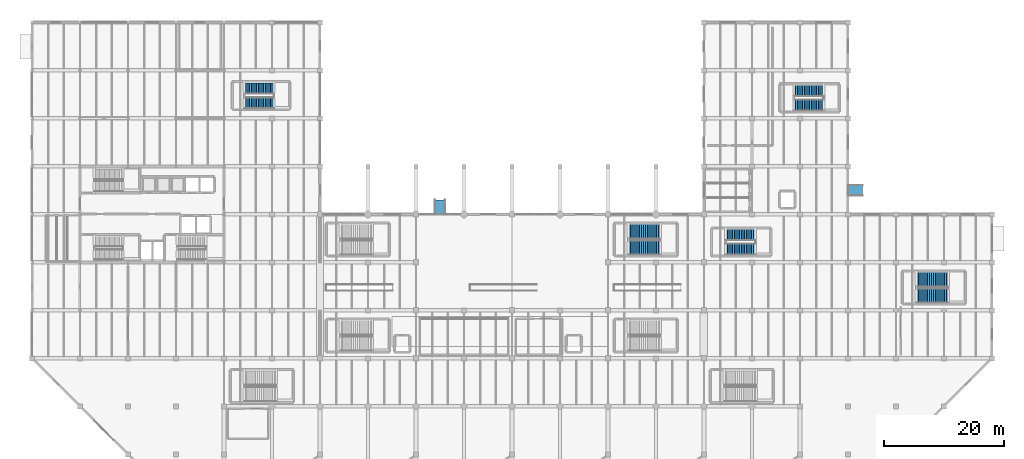
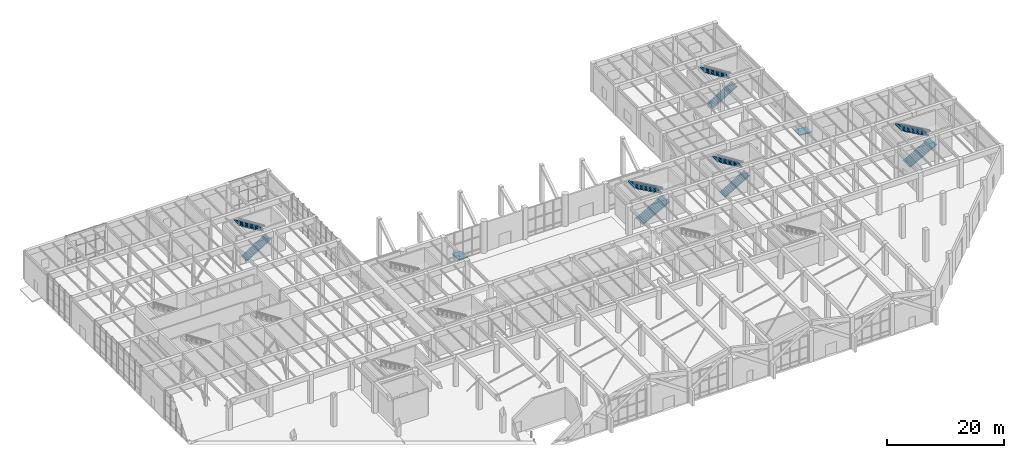
# One storey, part 42 of 51: 10 stair flights, 2 ramp flights, 7 elements without a shape of their own.
"""IFC4 building model written with IfcOpenShell, lengths in metres."""

from ifc_helpers import new_model, si_unit, direction, frame, origin, place, context, subcontext, project, spatial, polyline, outline, extrude, material, type_object, element, aggregate, save


model = new_model("IFC4")

# Units and contexts
model_context = context("Model", 3, precision=1e-05, world=origin(), true_north=direction((0.0, 1.0)))
body_context = subcontext(model_context, "Body", "Model", "MODEL_VIEW")
ifc_project = project(units=[si_unit("LENGTHUNIT", "METRE"), si_unit("AREAUNIT", "SQUARE_METRE"), si_unit("VOLUMEUNIT", "CUBIC_METRE"), si_unit("PLANEANGLEUNIT", "RADIAN"), si_unit("MASSUNIT", "GRAM", prefix="KILO")], contexts=[model_context])

# Site, building, storey
site_placement = place(None, origin())
site = spatial("IfcSite", under=ifc_project, at=site_placement, CompositionType="ELEMENT")
building_placement = place(site_placement, origin())
building = spatial("IfcBuilding", under=site, at=building_placement, Name="Varnela Railside Interchange", CompositionType="ELEMENT")
storey_placement = place(building_placement, origin())
storey = spatial("IfcBuildingStorey", under=building, at=storey_placement, Name="L00", CompositionType="ELEMENT", Elevation=0.0)

# Stair, stair flights
ifc_material = material(Name="Concrete C40", Category="concrete")
stair_type_1 = type_object("IfcStairType", Name="Study Pavilion Stair ST-180", PredefinedType="TWO_STRAIGHT_RUN_STAIR", material=ifc_material)
stair_1_placement = place(storey_placement, origin())
stair_1 = element("IfcStair", 1, at=stair_1_placement, inside=storey, type_object=stair_type_1, Name="Stair ST-E1 (L00) (SF-097)", PredefinedType="TWO_STRAIGHT_RUN_STAIR")
stair_flight_type_1 = type_object("IfcStairFlightType", Name="Concrete Stair Flight SF-180", PredefinedType="STRAIGHT", material=ifc_material)
stair_flight_1_placement = place(storey_placement, frame((119.60009765625, 56.199951171875, 0.0), z_axis=(0.0, 0.0, 1.0), x_axis=(1.0, 0.0, 0.0)))
stair_flight_1 = element("IfcStairFlight", 2, at=stair_flight_1_placement, type_object=stair_flight_type_1, Name="ST-E1 flight 1 (SF-098)", NumberOfRisers=18, NumberOfTreads=17, PredefinedType="STRAIGHT", RiserHeight=0.175, TreadLength=0.29, context=body_context, shape_type="SweptSolid", body=[
    extrude(outline(polyline([(0.0, 0.0), (0.0, 0.175048828125), (0.2900390625, 0.175048828125), (0.2900390625, 0.35009765625), (0.580078125, 0.35009765625), (0.580078125, 0.52490234375), (0.8701171875, 0.52490234375), (0.8701171875, 0.699951171875), (1.159912109375, 0.699951171875), (1.159912109375, 0.875), (1.449951171875, 0.875), (1.449951171875, 1.050048828125), (1.739990234375, 1.050048828125), (1.739990234375, 1.22509765625), (2.030029296875, 1.22509765625), (2.030029296875, 1.39990234375), (2.320068359375, 1.39990234375), (2.320068359375, 1.574951171875), (2.610107421875, 1.574951171875), (2.610107421875, 1.75), (2.89990234375, 1.75), (2.89990234375, 1.925048828125), (3.18994140625, 1.925048828125), (3.18994140625, 2.10009765625), (3.47998046875, 2.10009765625), (3.47998046875, 2.27490234375), (3.77001953125, 2.27490234375), (3.77001953125, 2.449951171875), (4.06005859375, 2.449951171875), (4.06005859375, 2.625), (4.35009765625, 2.625), (4.35009765625, 2.800048828125), (4.639892578125, 2.800048828125), (4.639892578125, 2.97509765625), (4.929931640625, 2.97509765625), (4.929931640625, 3.14990234375), (4.929931640625, 2.788330078125), (0.3095703125, 0.0), (0.0, 0.0)])), frame((0.0, 0.89990234375, 0.0), z_axis=(0.0, -1.0, 0.0), x_axis=(1.0, 0.0, 0.0)), (0.0, 0.0, 1.0), 1.800048828125),
])
stair_flight_2_placement = place(storey_placement, frame((124.530029296875, 58.60009765625, 3.14990234375), z_axis=(0.0, 0.0, 1.0), x_axis=(-1.0, 0.0, 0.0)))
stair_flight_2 = element("IfcStairFlight", 3, at=stair_flight_2_placement, type_object=stair_flight_type_1, Name="ST-E1 flight 2 (SF-099)", NumberOfRisers=18, NumberOfTreads=17, PredefinedType="STRAIGHT", RiserHeight=0.175, TreadLength=0.29, context=body_context, shape_type="SweptSolid", body=[
    extrude(outline(polyline([(0.0, 0.0), (0.0, 0.175048828125), (0.2900390625, 0.175048828125), (0.2900390625, 0.35009765625), (0.580078125, 0.35009765625), (0.580078125, 0.52490234375), (0.8701171875, 0.52490234375), (0.8701171875, 0.699951171875), (1.159912109375, 0.699951171875), (1.159912109375, 0.875), (1.449951171875, 0.875), (1.449951171875, 1.050048828125), (1.739990234375, 1.050048828125), (1.739990234375, 1.22509765625), (2.030029296875, 1.22509765625), (2.030029296875, 1.39990234375), (2.320068359375, 1.39990234375), (2.320068359375, 1.574951171875), (2.610107421875, 1.574951171875), (2.610107421875, 1.75), (2.89990234375, 1.75), (2.89990234375, 1.925048828125), (3.18994140625, 1.925048828125), (3.18994140625, 2.10009765625), (3.47998046875, 2.10009765625), (3.47998046875, 2.27490234375), (3.77001953125, 2.27490234375), (3.77001953125, 2.449951171875), (4.06005859375, 2.449951171875), (4.06005859375, 2.625), (4.35009765625, 2.625), (4.35009765625, 2.800048828125), (4.639892578125, 2.800048828125), (4.639892578125, 2.97509765625), (4.929931640625, 2.97509765625), (4.929931640625, 3.14990234375), (4.929931640625, 2.788330078125), (0.3095703125, 0.0), (0.0, 0.0)])), frame((0.0, 0.89990234375, 0.0), z_axis=(0.0, -1.0, 0.0), x_axis=(1.0, 0.0, 0.0)), (0.0, 0.0, 1.0), 1.800048828125),
])
aggregate(stair_1, [stair_flight_1, stair_flight_2])

stair_2_placement = place(storey_placement, origin())
stair_2 = element("IfcStair", 4, at=stair_2_placement, inside=storey, type_object=stair_type_1, Name="Stair ST-E2 (L00) (SF-100)", PredefinedType="TWO_STRAIGHT_RUN_STAIR")
stair_flight_3_placement = place(storey_placement, frame((131.0, 80.199951171875, 0.0), z_axis=(0.0, 0.0, 1.0), x_axis=(1.0, 0.0, 0.0)))
stair_flight_3 = element("IfcStairFlight", 5, at=stair_flight_3_placement, type_object=stair_flight_type_1, Name="ST-E2 flight 1 (SF-101)", NumberOfRisers=18, NumberOfTreads=17, PredefinedType="STRAIGHT", RiserHeight=0.175, TreadLength=0.29, context=body_context, shape_type="SweptSolid", body=[
    extrude(outline(polyline([(0.0, 0.0), (0.0, 0.175048828125), (0.2900390625, 0.175048828125), (0.2900390625, 0.35009765625), (0.580078125, 0.35009765625), (0.580078125, 0.52490234375), (0.8701171875, 0.52490234375), (0.8701171875, 0.699951171875), (1.159912109375, 0.699951171875), (1.159912109375, 0.875), (1.449951171875, 0.875), (1.449951171875, 1.050048828125), (1.739990234375, 1.050048828125), (1.739990234375, 1.22509765625), (2.030029296875, 1.22509765625), (2.030029296875, 1.39990234375), (2.320068359375, 1.39990234375), (2.320068359375, 1.574951171875), (2.610107421875, 1.574951171875), (2.610107421875, 1.75), (2.89990234375, 1.75), (2.89990234375, 1.925048828125), (3.18994140625, 1.925048828125), (3.18994140625, 2.10009765625), (3.47998046875, 2.10009765625), (3.47998046875, 2.27490234375), (3.77001953125, 2.27490234375), (3.77001953125, 2.449951171875), (4.06005859375, 2.449951171875), (4.06005859375, 2.625), (4.35009765625, 2.625), (4.35009765625, 2.800048828125), (4.639892578125, 2.800048828125), (4.639892578125, 2.97509765625), (4.929931640625, 2.97509765625), (4.929931640625, 3.14990234375), (4.929931640625, 2.788330078125), (0.3095703125, 0.0), (0.0, 0.0)])), frame((0.0, 0.89990234375, 0.0), z_axis=(0.0, -1.0, 0.0), x_axis=(1.0, 0.0, 0.0)), (0.0, 0.0, 1.0), 1.800048828125),
])
stair_flight_4_placement = place(storey_placement, frame((135.929931640625, 82.60009765625, 3.14990234375), z_axis=(0.0, 0.0, 1.0), x_axis=(-1.0, 0.0, 0.0)))
stair_flight_4 = element("IfcStairFlight", 6, at=stair_flight_4_placement, type_object=stair_flight_type_1, Name="ST-E2 flight 2 (SF-102)", NumberOfRisers=18, NumberOfTreads=17, PredefinedType="STRAIGHT", RiserHeight=0.175, TreadLength=0.29, context=body_context, shape_type="SweptSolid", body=[
    extrude(outline(polyline([(0.0, 0.0), (0.0, 0.175048828125), (0.2900390625, 0.175048828125), (0.2900390625, 0.35009765625), (0.580078125, 0.35009765625), (0.580078125, 0.52490234375), (0.8701171875, 0.52490234375), (0.8701171875, 0.699951171875), (1.159912109375, 0.699951171875), (1.159912109375, 0.875), (1.449951171875, 0.875), (1.449951171875, 1.050048828125), (1.739990234375, 1.050048828125), (1.739990234375, 1.22509765625), (2.030029296875, 1.22509765625), (2.030029296875, 1.39990234375), (2.320068359375, 1.39990234375), (2.320068359375, 1.574951171875), (2.610107421875, 1.574951171875), (2.610107421875, 1.75), (2.89990234375, 1.75), (2.89990234375, 1.925048828125), (3.18994140625, 1.925048828125), (3.18994140625, 2.10009765625), (3.47998046875, 2.10009765625), (3.47998046875, 2.27490234375), (3.77001953125, 2.27490234375), (3.77001953125, 2.449951171875), (4.06005859375, 2.449951171875), (4.06005859375, 2.625), (4.35009765625, 2.625), (4.35009765625, 2.800048828125), (4.639892578125, 2.800048828125), (4.639892578125, 2.97509765625), (4.929931640625, 2.97509765625), (4.929931640625, 3.14990234375), (4.929931640625, 2.788330078125), (0.3095703125, 0.0), (0.0, 0.0)])), frame((0.0, 0.89990234375, 0.0), z_axis=(0.0, -1.0, 0.0), x_axis=(1.0, 0.0, 0.0)), (0.0, 0.0, 1.0), 1.800048828125),
])
aggregate(stair_2, [stair_flight_3, stair_flight_4])

stair_3_placement = place(storey_placement, origin())
stair_3 = element("IfcStair", 7, at=stair_3_placement, inside=storey, type_object=stair_type_1, Name="Stair ST-W1 (L00) (SF-121)", PredefinedType="TWO_STRAIGHT_RUN_STAIR")
stair_flight_5_placement = place(storey_placement, frame((39.39990234375, 80.60009765625, 0.0), z_axis=(0.0, 0.0, 1.0), x_axis=(1.0, 0.0, 0.0)))
stair_flight_5 = element("IfcStairFlight", 8, at=stair_flight_5_placement, type_object=stair_flight_type_1, Name="ST-W1 flight 1 (SF-122)", NumberOfRisers=18, NumberOfTreads=17, PredefinedType="STRAIGHT", RiserHeight=0.175, TreadLength=0.29, context=body_context, shape_type="SweptSolid", body=[
    extrude(outline(polyline([(0.0, 0.0), (0.0, 0.175048828125), (0.2900390625, 0.175048828125), (0.2900390625, 0.35009765625), (0.580078125, 0.35009765625), (0.580078125, 0.52490234375), (0.8701171875, 0.52490234375), (0.8701171875, 0.699951171875), (1.159912109375, 0.699951171875), (1.159912109375, 0.875), (1.449951171875, 0.875), (1.449951171875, 1.050048828125), (1.739990234375, 1.050048828125), (1.739990234375, 1.22509765625), (2.030029296875, 1.22509765625), (2.030029296875, 1.39990234375), (2.320068359375, 1.39990234375), (2.320068359375, 1.574951171875), (2.610107421875, 1.574951171875), (2.610107421875, 1.75), (2.89990234375, 1.75), (2.89990234375, 1.925048828125), (3.18994140625, 1.925048828125), (3.18994140625, 2.10009765625), (3.47998046875, 2.10009765625), (3.47998046875, 2.27490234375), (3.77001953125, 2.27490234375), (3.77001953125, 2.449951171875), (4.06005859375, 2.449951171875), (4.06005859375, 2.625), (4.35009765625, 2.625), (4.35009765625, 2.800048828125), (4.639892578125, 2.800048828125), (4.639892578125, 2.97509765625), (4.929931640625, 2.97509765625), (4.929931640625, 3.14990234375), (4.929931640625, 2.788330078125), (0.3095703125, 0.0), (0.0, 0.0)])), frame((0.0, 0.89990234375, 0.0), z_axis=(0.0, -1.0, 0.0), x_axis=(1.0, 0.0, 0.0)), (0.0, 0.0, 1.0), 1.800048828125),
])
stair_flight_6_placement = place(storey_placement, frame((44.330078125, 83.0, 3.14990234375), z_axis=(0.0, 0.0, 1.0), x_axis=(-1.0, 0.0, 0.0)))
stair_flight_6 = element("IfcStairFlight", 9, at=stair_flight_6_placement, type_object=stair_flight_type_1, Name="ST-W1 flight 2 (SF-123)", NumberOfRisers=18, NumberOfTreads=17, PredefinedType="STRAIGHT", RiserHeight=0.175, TreadLength=0.29, context=body_context, shape_type="SweptSolid", body=[
    extrude(outline(polyline([(0.0, 0.0), (0.0, 0.175048828125), (0.2900390625, 0.175048828125), (0.2900390625, 0.35009765625), (0.580078125, 0.35009765625), (0.580078125, 0.52490234375), (0.8701171875, 0.52490234375), (0.8701171875, 0.699951171875), (1.159912109375, 0.699951171875), (1.159912109375, 0.875), (1.449951171875, 0.875), (1.449951171875, 1.050048828125), (1.739990234375, 1.050048828125), (1.739990234375, 1.22509765625), (2.030029296875, 1.22509765625), (2.030029296875, 1.39990234375), (2.320068359375, 1.39990234375), (2.320068359375, 1.574951171875), (2.610107421875, 1.574951171875), (2.610107421875, 1.75), (2.89990234375, 1.75), (2.89990234375, 1.925048828125), (3.18994140625, 1.925048828125), (3.18994140625, 2.10009765625), (3.47998046875, 2.10009765625), (3.47998046875, 2.27490234375), (3.77001953125, 2.27490234375), (3.77001953125, 2.449951171875), (4.06005859375, 2.449951171875), (4.06005859375, 2.625), (4.35009765625, 2.625), (4.35009765625, 2.800048828125), (4.639892578125, 2.800048828125), (4.639892578125, 2.97509765625), (4.929931640625, 2.97509765625), (4.929931640625, 3.14990234375), (4.929931640625, 2.788330078125), (0.3095703125, 0.0), (0.0, 0.0)])), frame((0.0, 0.89990234375, 0.0), z_axis=(0.0, -1.0, 0.0), x_axis=(1.0, 0.0, 0.0)), (0.0, 0.0, 1.0), 1.800048828125),
])
aggregate(stair_3, [stair_flight_5, stair_flight_6])

stair_type_2 = type_object("IfcStairType", Name="Concourse Public Stair ST-235", PredefinedType="TWO_STRAIGHT_RUN_STAIR", material=ifc_material)
stair_4_placement = place(storey_placement, origin())
stair_4 = element("IfcStair", 10, at=stair_4_placement, inside=storey, type_object=stair_type_2, Name="Stair ST-E3 (L00) (SF-103)", PredefinedType="TWO_STRAIGHT_RUN_STAIR")
stair_flight_type_2 = type_object("IfcStairFlightType", Name="Concrete Stair Flight SF-235", PredefinedType="STRAIGHT", material=ifc_material)
stair_flight_7_placement = place(storey_placement, frame((151.39990234375, 48.47509765625, 0.0), z_axis=(0.0, 0.0, 1.0), x_axis=(1.0, 0.0, 0.0)))
stair_flight_7 = element("IfcStairFlight", 11, at=stair_flight_7_placement, type_object=stair_flight_type_2, Name="ST-E3 flight 1 (SF-104)", NumberOfRisers=18, NumberOfTreads=17, PredefinedType="STRAIGHT", RiserHeight=0.175, TreadLength=0.315, context=body_context, shape_type="SweptSolid", body=[
    extrude(outline(polyline([(0.0, 0.0), (0.0, 0.175048828125), (0.31494140625, 0.175048828125), (0.31494140625, 0.35009765625), (0.6298828125, 0.35009765625), (0.6298828125, 0.52490234375), (0.945068359375, 0.52490234375), (0.945068359375, 0.699951171875), (1.260009765625, 0.699951171875), (1.260009765625, 0.875), (1.574951171875, 0.875), (1.574951171875, 1.050048828125), (1.889892578125, 1.050048828125), (1.889892578125, 1.22509765625), (2.205078125, 1.22509765625), (2.205078125, 1.39990234375), (2.52001953125, 1.39990234375), (2.52001953125, 1.574951171875), (2.8349609375, 1.574951171875), (2.8349609375, 1.75), (3.14990234375, 1.75), (3.14990234375, 1.925048828125), (3.465087890625, 1.925048828125), (3.465087890625, 2.10009765625), (3.780029296875, 2.10009765625), (3.780029296875, 2.27490234375), (4.094970703125, 2.27490234375), (4.094970703125, 2.449951171875), (4.409912109375, 2.449951171875), (4.409912109375, 2.625), (4.72509765625, 2.625), (4.72509765625, 2.800048828125), (5.0400390625, 2.800048828125), (5.0400390625, 2.97509765625), (5.35498046875, 2.97509765625), (5.35498046875, 3.14990234375), (5.35498046875, 2.7919921875), (0.329345703125, 0.0), (0.0, 0.0)])), frame((0.0, 1.175048828125, 0.0), z_axis=(0.0, -1.0, 0.0), x_axis=(1.0, 0.0, 0.0)), (0.0, 0.0, 1.0), 2.35009765625),
])
stair_flight_8_placement = place(storey_placement, frame((156.7548828125, 51.125, 3.14990234375), z_axis=(0.0, 0.0, 1.0), x_axis=(-1.0, 0.0, 0.0)))
stair_flight_8 = element("IfcStairFlight", 12, at=stair_flight_8_placement, type_object=stair_flight_type_2, Name="ST-E3 flight 2 (SF-105)", NumberOfRisers=18, NumberOfTreads=17, PredefinedType="STRAIGHT", RiserHeight=0.175, TreadLength=0.315, context=body_context, shape_type="SweptSolid", body=[
    extrude(outline(polyline([(0.0, 0.0), (0.0, 0.175048828125), (0.31494140625, 0.175048828125), (0.31494140625, 0.35009765625), (0.6298828125, 0.35009765625), (0.6298828125, 0.52490234375), (0.945068359375, 0.52490234375), (0.945068359375, 0.699951171875), (1.260009765625, 0.699951171875), (1.260009765625, 0.875), (1.574951171875, 0.875), (1.574951171875, 1.050048828125), (1.889892578125, 1.050048828125), (1.889892578125, 1.22509765625), (2.205078125, 1.22509765625), (2.205078125, 1.39990234375), (2.52001953125, 1.39990234375), (2.52001953125, 1.574951171875), (2.8349609375, 1.574951171875), (2.8349609375, 1.75), (3.14990234375, 1.75), (3.14990234375, 1.925048828125), (3.465087890625, 1.925048828125), (3.465087890625, 2.10009765625), (3.780029296875, 2.10009765625), (3.780029296875, 2.27490234375), (4.094970703125, 2.27490234375), (4.094970703125, 2.449951171875), (4.409912109375, 2.449951171875), (4.409912109375, 2.625), (4.72509765625, 2.625), (4.72509765625, 2.800048828125), (5.0400390625, 2.800048828125), (5.0400390625, 2.97509765625), (5.35498046875, 2.97509765625), (5.35498046875, 3.14990234375), (5.35498046875, 2.7919921875), (0.329345703125, 0.0), (0.0, 0.0)])), frame((0.0, 1.175048828125, 0.0), z_axis=(0.0, -1.0, 0.0), x_axis=(1.0, 0.0, 0.0)), (0.0, 0.0, 1.0), 2.35009765625),
])
aggregate(stair_4, [stair_flight_7, stair_flight_8])

stair_5_placement = place(storey_placement, origin())
stair_5 = element("IfcStair", 13, at=stair_5_placement, inside=storey, type_object=stair_type_2, Name="Stair ST-C4 (L00) (SF-094)", PredefinedType="TWO_STRAIGHT_RUN_STAIR")
stair_flight_9_placement = place(storey_placement, frame((103.39990234375, 56.47509765625, 0.0), z_axis=(0.0, 0.0, 1.0), x_axis=(1.0, 0.0, 0.0)))
stair_flight_9 = element("IfcStairFlight", 14, at=stair_flight_9_placement, type_object=stair_flight_type_2, Name="ST-C4 flight 1 (SF-095)", NumberOfRisers=18, NumberOfTreads=17, PredefinedType="STRAIGHT", RiserHeight=0.175, TreadLength=0.315, context=body_context, shape_type="SweptSolid", body=[
    extrude(outline(polyline([(0.0, 0.0), (0.0, 0.175048828125), (0.31494140625, 0.175048828125), (0.31494140625, 0.35009765625), (0.6298828125, 0.35009765625), (0.6298828125, 0.52490234375), (0.945068359375, 0.52490234375), (0.945068359375, 0.699951171875), (1.260009765625, 0.699951171875), (1.260009765625, 0.875), (1.574951171875, 0.875), (1.574951171875, 1.050048828125), (1.889892578125, 1.050048828125), (1.889892578125, 1.22509765625), (2.205078125, 1.22509765625), (2.205078125, 1.39990234375), (2.52001953125, 1.39990234375), (2.52001953125, 1.574951171875), (2.8349609375, 1.574951171875), (2.8349609375, 1.75), (3.14990234375, 1.75), (3.14990234375, 1.925048828125), (3.465087890625, 1.925048828125), (3.465087890625, 2.10009765625), (3.780029296875, 2.10009765625), (3.780029296875, 2.27490234375), (4.094970703125, 2.27490234375), (4.094970703125, 2.449951171875), (4.409912109375, 2.449951171875), (4.409912109375, 2.625), (4.72509765625, 2.625), (4.72509765625, 2.800048828125), (5.0400390625, 2.800048828125), (5.0400390625, 2.97509765625), (5.35498046875, 2.97509765625), (5.35498046875, 3.14990234375), (5.35498046875, 2.7919921875), (0.329345703125, 0.0), (0.0, 0.0)])), frame((0.0, 1.175048828125, 0.0), z_axis=(0.0, -1.0, 0.0), x_axis=(1.0, 0.0, 0.0)), (0.0, 0.0, 1.0), 2.35009765625),
])
stair_flight_10_placement = place(storey_placement, frame((108.7548828125, 59.125, 3.14990234375), z_axis=(0.0, 0.0, 1.0), x_axis=(-1.0, 0.0, 0.0)))
stair_flight_10 = element("IfcStairFlight", 15, at=stair_flight_10_placement, type_object=stair_flight_type_2, Name="ST-C4 flight 2 (SF-096)", NumberOfRisers=18, NumberOfTreads=17, PredefinedType="STRAIGHT", RiserHeight=0.175, TreadLength=0.315, context=body_context, shape_type="SweptSolid", body=[
    extrude(outline(polyline([(0.0, 0.0), (0.0, 0.175048828125), (0.31494140625, 0.175048828125), (0.31494140625, 0.35009765625), (0.6298828125, 0.35009765625), (0.6298828125, 0.52490234375), (0.945068359375, 0.52490234375), (0.945068359375, 0.699951171875), (1.260009765625, 0.699951171875), (1.260009765625, 0.875), (1.574951171875, 0.875), (1.574951171875, 1.050048828125), (1.889892578125, 1.050048828125), (1.889892578125, 1.22509765625), (2.205078125, 1.22509765625), (2.205078125, 1.39990234375), (2.52001953125, 1.39990234375), (2.52001953125, 1.574951171875), (2.8349609375, 1.574951171875), (2.8349609375, 1.75), (3.14990234375, 1.75), (3.14990234375, 1.925048828125), (3.465087890625, 1.925048828125), (3.465087890625, 2.10009765625), (3.780029296875, 2.10009765625), (3.780029296875, 2.27490234375), (4.094970703125, 2.27490234375), (4.094970703125, 2.449951171875), (4.409912109375, 2.449951171875), (4.409912109375, 2.625), (4.72509765625, 2.625), (4.72509765625, 2.800048828125), (5.0400390625, 2.800048828125), (5.0400390625, 2.97509765625), (5.35498046875, 2.97509765625), (5.35498046875, 3.14990234375), (5.35498046875, 2.7919921875), (0.329345703125, 0.0), (0.0, 0.0)])), frame((0.0, 1.175048828125, 0.0), z_axis=(0.0, -1.0, 0.0), x_axis=(1.0, 0.0, 0.0)), (0.0, 0.0, 1.0), 2.35009765625),
])
aggregate(stair_5, [stair_flight_9, stair_flight_10])

# Ramp, ramp flight
ramp_type = type_object("IfcRampType", Name="Accessible Pedestrian Ramp PR-RMP", PredefinedType="STRAIGHT_RUN_RAMP", material=ifc_material)
ramp_1_placement = place(storey_placement, origin())
ramp_1 = element("IfcRamp", 16, at=ramp_1_placement, inside=storey, type_object=ramp_type, Name="Civic Forecourt Accessible Entrance Ramp", PredefinedType="STRAIGHT_RUN_RAMP")
ramp_flight_type = type_object("IfcRampFlightType", Name="Ramp Flight PR-RMP W1800", PredefinedType="STRAIGHT", material=ifc_material)
ramp_flight_1_placement = place(storey_placement, frame((72.0, 64.39990234375, -0.199951171875), z_axis=(0.0, 0.0, 1.0), x_axis=(0.0, -1.0, 0.0)))
ramp_flight_1 = element("IfcRampFlight", 17, at=ramp_flight_1_placement, type_object=ramp_flight_type, Name="Civic Forecourt Accessible Entrance Ramp (F1)", PredefinedType="STRAIGHT", context=body_context, shape_type="SweptSolid", body=[
    extrude(outline(polyline([(0.0, -0.199951171875), (2.39990234375, 0.0), (2.39990234375, 0.199951171875), (0.0, 0.0), (0.0, -0.199951171875)])), frame((0.0, 0.89990234375, 0.0), z_axis=(0.0, -1.0, 0.0), x_axis=(1.0, 0.0, 0.0)), (0.0, 0.0, 1.0), 1.800048828125),
])
aggregate(ramp_1, [ramp_flight_1])

ramp_2_placement = place(storey_placement, origin())
ramp_2 = element("IfcRamp", 18, at=ramp_2_placement, inside=storey, type_object=ramp_type, Name="East Cycle Garden Accessible Entrance Ramp", PredefinedType="STRAIGHT_RUN_RAMP")
ramp_flight_2_placement = place(storey_placement, frame((142.39990234375, 66.0, -0.199951171875), z_axis=(0.0, 0.0, 1.0), x_axis=(-1.0, 0.0, 0.0)))
ramp_flight_2 = element("IfcRampFlight", 19, at=ramp_flight_2_placement, type_object=ramp_flight_type, Name="East Cycle Garden Accessible Entrance Ramp (F1)", PredefinedType="STRAIGHT", context=body_context, shape_type="SweptSolid", body=[
    extrude(outline(polyline([(0.0, -0.199951171875), (2.39990234375, 0.0), (2.39990234375, 0.199951171875), (0.0, 0.0), (0.0, -0.199951171875)])), frame((0.0, 0.89990234375, 0.0), z_axis=(0.0, -1.0, 0.0), x_axis=(1.0, 0.0, 0.0)), (0.0, 0.0, 1.0), 1.800048828125),
])
aggregate(ramp_2, [ramp_flight_2])

save(model, "model.ifc")
